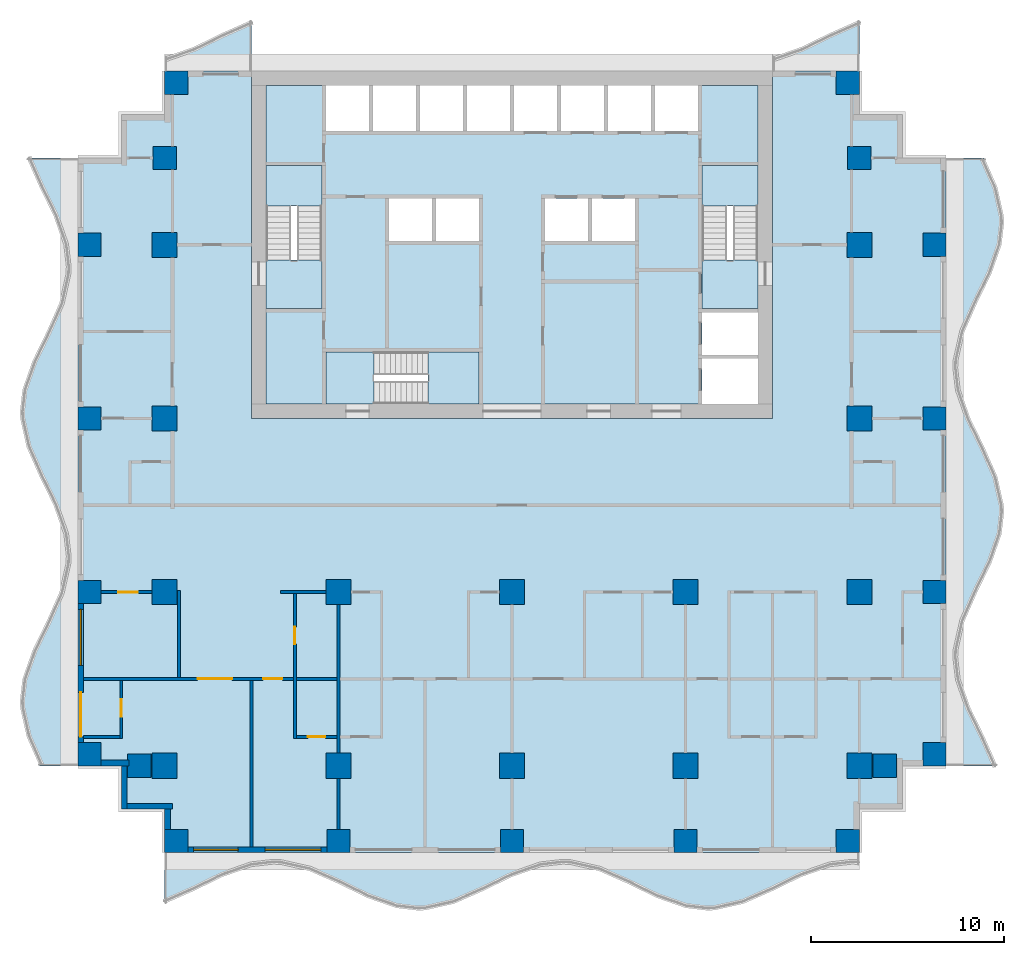
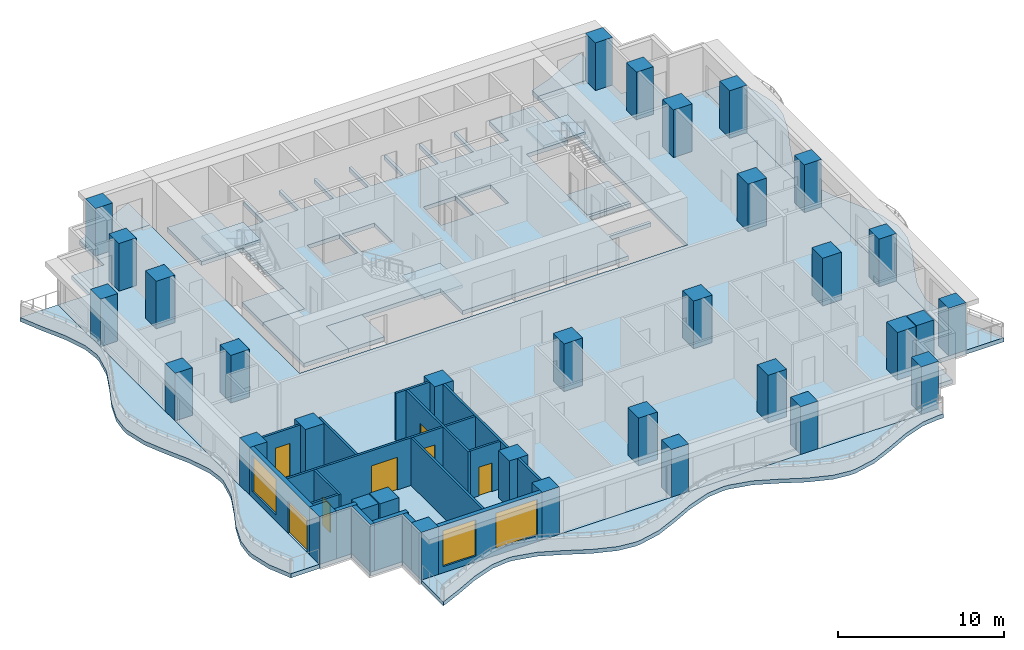
# One storey, part 1 of 10: 33 columns, 18 walls, 13 slabs, 7 doors, 3 windows, 10 openings, 3 elements without a shape of their own.
"""IFC4 building model written with IfcOpenShell, lengths in metres."""

from ifc_helpers import new_model, si_unit, direction, frame, frame_2d, origin, origin_2d, place, context, subcontext, project, spatial, polyline, rectangle, outline, extrude, material, layer, layer_set, material_profile, profile_set, type_object, element, fill, aggregate, save


model = new_model("IFC4")

# Units and contexts
model_context = context("Model", 3, precision=1e-05, world=origin(), true_north=direction((0.0, 1.0)))
body_context = subcontext(model_context, "Body", "Model", "MODEL_VIEW")
ifc_project = project(units=[si_unit("LENGTHUNIT", "METRE"), si_unit("AREAUNIT", "SQUARE_METRE"), si_unit("VOLUMEUNIT", "CUBIC_METRE"), si_unit("PLANEANGLEUNIT", "RADIAN"), si_unit("MASSUNIT", "GRAM", prefix="KILO")], contexts=[model_context])

# Site, building, storey
site_placement = place(None, origin())
site = spatial("IfcSite", under=ifc_project, at=site_placement, CompositionType="ELEMENT")
building_placement = place(site_placement, origin())
building = spatial("IfcBuilding", under=site, at=building_placement, Name="Orbiselva Terraces", CompositionType="ELEMENT")
storey_placement = place(building_placement, frame((0.0, 0.0, 125.0)))
storey = spatial("IfcBuildingStorey", under=building, at=storey_placement, Name="L31", CompositionType="ELEMENT", Elevation=125.0)

# Columns
ifc_material_1 = material(Name="Concrete C70/85", Category="concrete")
ifc_material_profile_1 = material_profile(ifc_material_1, rectangle(XDim=1.3, YDim=1.3, at=origin_2d()), Name="RC 1300x1300")
ifc_profile_set_1 = profile_set([ifc_material_profile_1], Name="Concrete C70/85")
column_type_1 = type_object("IfcColumnType", Name="COLUMN RC 1300x1300", PredefinedType="COLUMN", material=ifc_profile_set_1)
for number, where, z_axis, x_axis, name in (
    (1, (-18.0, -13.5, 0.0), (0.0, 0.0, 1.0), (1.0, 0.0, 0.0), "Column L31-01"),
    (2, (-18.0, -4.5, 0.0), (0.0, 0.0, 1.0), (1.0, 0.0, 0.0), "Column L31-03"),
    (3, (-18.0, 13.5, 0.0), (0.0, 0.0, 1.0), (1.0, 0.0, 0.0), "Column L31-04"),
    (4, (-18.0, 4.5, 0.0), (0.0, 0.0, 1.0), (1.0, 0.0, 0.0), "Column L31-06"),
    (5, (-9.0, -13.5, 0.0), (0.0, 0.0, 1.0), (1.0, 0.0, 0.0), "Column L31-13"),
    (6, (-9.0, -4.5, 0.0), (0.0, 0.0, 1.0), (1.0, 0.0, 0.0), "Column L31-15"),
    (7, (0.0, -13.5, 0.0), (0.0, 0.0, 1.0), (1.0, 0.0, 0.0), "Column L31-16"),
    (8, (0.0, -4.5, 0.0), (0.0, 0.0, 1.0), (1.0, 0.0, 0.0), "Column L31-18"),
    (9, (18.0, -13.5, 0.0), (0.0, 0.0, 1.0), (1.0, 0.0, 0.0), "Column L31-19"),
    (10, (18.0, -4.5, 0.0), (0.0, 0.0, 1.0), (1.0, 0.0, 0.0), "Column L31-21"),
    (11, (18.0, 13.5, 0.0), (0.0, 0.0, 1.0), (1.0, 0.0, 0.0), "Column L31-22"),
    (12, (18.0, 4.5, 0.0), (0.0, 0.0, 1.0), (1.0, 0.0, 0.0), "Column L31-24"),
    (13, (9.0, -13.5, 0.0), (0.0, 0.0, 1.0), (1.0, 0.0, 0.0), "Column L31-31"),
    (14, (9.0, -4.5, 0.0), (0.0, 0.0, 1.0), (1.0, 0.0, 0.0), "Column L31-33"),
):
    element("IfcColumn", number, at=place(storey_placement, frame(where, z_axis=z_axis, x_axis=x_axis)), inside=storey, type_object=column_type_1, Name=name, PredefinedType="COLUMN", context=body_context, shape_type="SweptSolid", body=[
        extrude(rectangle(XDim=1.3, YDim=1.3, at=origin_2d()), origin(), (0.0, 0.0, 1.0), 3.5),
    ])
ifc_material_2 = material(Name="Concrete C60/75", Category="concrete")
ifc_material_profile_2 = material_profile(ifc_material_2, rectangle(XDim=1.2, YDim=1.2, at=origin_2d()), Name="RC 1200x1200")
ifc_profile_set_2 = profile_set([ifc_material_profile_2], Name="Concrete C60/75")
column_type_2 = type_object("IfcColumnType", Name="PERIMETER COLUMN RC 1200x1200", PredefinedType="COLUMN", material=ifc_profile_set_2)
for number, where, z_axis, x_axis, name in (
    (15, (-17.4, -17.4, 0.0), (0.0, 0.0, 1.0), (1.0, 0.0, 0.0), "Column L31-02"),
    (16, (-17.4, 21.9, 0.0), (0.0, 0.0, 1.0), (1.0, 0.0, 0.0), "Column L31-05"),
    (17, (-21.9, -12.9, 0.0), (0.0, 0.0, 1.0), (1.0, 0.0, 0.0), "Column L31-07"),
    (18, (-19.32, -13.5, 0.0), (0.0, 0.0, 1.0), (1.0, 0.0, 0.0), "Column L31-08"),
    (19, (-21.9, -4.5, 0.0), (0.0, 0.0, 1.0), (1.0, 0.0, 0.0), "Column L31-09"),
    (20, (-21.9, 13.5, 0.0), (0.0, 0.0, 1.0), (1.0, 0.0, 0.0), "Column L31-10"),
    (21, (-18.0, 18.0, 0.0), (0.0, 0.0, 1.0), (1.0, 0.0, 0.0), "Column L31-11"),
    (22, (-21.9, 4.5, 0.0), (0.0, 0.0, 1.0), (1.0, 0.0, 0.0), "Column L31-12"),
    (23, (-9.0, -17.4, 0.0), (0.0, 0.0, 1.0), (1.0, 0.0, 0.0), "Column L31-14"),
    (24, (0.0, -17.4, 0.0), (0.0, 0.0, 1.0), (1.0, 0.0, 0.0), "Column L31-17"),
    (25, (17.4, -17.4, 0.0), (0.0, 0.0, 1.0), (1.0, 0.0, 0.0), "Column L31-20"),
    (26, (17.4, 21.9, 0.0), (0.0, 0.0, 1.0), (1.0, 0.0, 0.0), "Column L31-23"),
    (27, (21.9, -12.9, 0.0), (0.0, 0.0, 1.0), (1.0, 0.0, 0.0), "Column L31-25"),
    (28, (19.32, -13.5, 0.0), (0.0, 0.0, 1.0), (1.0, 0.0, 0.0), "Column L31-26"),
    (29, (21.9, -4.5, 0.0), (0.0, 0.0, 1.0), (1.0, 0.0, 0.0), "Column L31-27"),
    (30, (21.9, 13.5, 0.0), (0.0, 0.0, 1.0), (1.0, 0.0, 0.0), "Column L31-28"),
    (31, (18.0, 18.0, 0.0), (0.0, 0.0, 1.0), (1.0, 0.0, 0.0), "Column L31-29"),
    (32, (21.9, 4.5, 0.0), (0.0, 0.0, 1.0), (1.0, 0.0, 0.0), "Column L31-30"),
    (33, (9.0, -17.4, 0.0), (0.0, 0.0, 1.0), (1.0, 0.0, 0.0), "Column L31-32"),
):
    element("IfcColumn", number, at=place(storey_placement, frame(where, z_axis=z_axis, x_axis=x_axis)), inside=storey, type_object=column_type_2, Name=name, PredefinedType="COLUMN", context=body_context, shape_type="SweptSolid", body=[
        extrude(rectangle(XDim=1.2, YDim=1.2, at=origin_2d()), origin(), (0.0, 0.0, 1.0), 3.5),
    ])

# Slabs
ifc_material_3 = material(Name="Concrete C40/50", Category="concrete")
ifc_layer_1 = layer(ifc_material_3, 0.3)
ifc_layer_set_1 = layer_set([ifc_layer_1], Name="Concrete C40/50")
slab_type_1 = type_object("IfcSlabType", Name="CORE-SLAB-FLOOR-300", PredefinedType="FLOOR", material=ifc_layer_set_1)
slab_1_placement = place(storey_placement, frame((0.0, 0.0, -0.3)))
element("IfcSlab", 34, at=slab_1_placement, inside=storey, type_object=slab_type_1, Name="L31 S1 floor landing", PredefinedType="FLOOR", context=body_context, shape_type="SweptSolid", body=[
    extrude(outline(polyline([(-12.75, 12.7), (-9.85, 12.7), (-9.85, 10.2), (-12.75, 10.2), (-12.75, 12.7)])), origin(), (0.0, 0.0, 1.0), 0.3),
])
slab_2_placement = place(storey_placement, frame((0.0, 0.0, -0.3)))
element("IfcSlab", 35, at=slab_2_placement, inside=storey, type_object=slab_type_1, Name="L31 S2 floor landing", PredefinedType="FLOOR", context=body_context, shape_type="SweptSolid", body=[
    extrude(outline(polyline([(12.75, 12.7), (12.75, 10.2), (9.85, 10.2), (9.85, 12.7), (12.75, 12.7)])), origin(), (0.0, 0.0, 1.0), 0.3),
])
slab_3_placement = place(storey_placement, frame((0.0, 0.0, -0.3)))
element("IfcSlab", 36, at=slab_3_placement, inside=storey, type_object=slab_type_1, Name="L31 S3 floor landing", PredefinedType="FLOOR", context=body_context, shape_type="SweptSolid", body=[
    extrude(outline(polyline([(-7.15, 5.25), (-9.65, 5.25), (-9.65, 7.95), (-7.15, 7.95), (-7.15, 5.25)])), origin(), (0.0, 0.0, 1.0), 0.3),
])
slab_4_placement = place(storey_placement, frame((0.0, 0.0, -0.3)))
element("IfcSlab", 37, at=slab_4_placement, inside=storey, type_object=slab_type_1, Name="L31 core floor slab 1", PredefinedType="FLOOR", context=body_context, shape_type="SweptSolid", body=[
    extrude(outline(polyline([(-1.7, 5.25), (-1.7, 7.95), (-9.65, 7.95), (-9.65, 5.25), (-12.75, 5.25), (-12.75, 10.2), (-9.85, 10.2), (-9.85, 17.6), (-12.75, 17.6), (-12.75, 21.75), (-9.65, 21.75), (-9.65, 19.4), (-7.4125, 19.4), (-7.4125, 21.75), (-7.2125, 21.75), (-7.2125, 19.4), (-4.975, 19.4), (-4.975, 21.75), (-4.775, 21.75), (-4.775, 19.4), (-2.5375, 19.4), (-2.5375, 21.75), (-2.3375, 21.75), (-2.3375, 19.4), (-0.1, 19.4), (-0.1, 21.75), (0.1, 21.75), (0.1, 19.4), (2.3375, 19.4), (2.3375, 21.75), (2.5375, 21.75), (2.5375, 19.4), (4.775, 19.4), (4.775, 21.75), (4.975, 21.75), (4.975, 19.4), (7.2125, 19.4), (7.2125, 21.75), (7.4125, 21.75), (7.4125, 19.4), (9.65, 19.4), (9.65, 21.75), (12.75, 21.75), (12.75, 17.6), (9.85, 17.6), (9.85, 10.2), (12.75, 10.2), (12.75, 10.0), (9.85, 10.0), (9.85, 7.8), (12.75, 7.8), (12.75, 7.6), (9.85, 7.6), (9.85, 5.25), (-1.7, 5.25)]), holes=[polyline([(-4.1375, 13.7), (-4.1375, 15.9), (-6.375, 15.9), (-6.375, 13.7), (-4.1375, 13.7)]), polyline([(-1.7, 13.7), (-1.7, 15.9), (-3.9375, 15.9), (-3.9375, 13.7), (-1.7, 13.7)]), polyline([(3.9375, 13.7), (3.9375, 15.9), (1.7, 15.9), (1.7, 13.7), (3.9375, 13.7)]), polyline([(6.375, 13.7), (6.375, 15.9), (4.1375, 15.9), (4.1375, 13.7), (6.375, 13.7)])]), origin(), (0.0, 0.0, 1.0), 0.3),
])

# Stair, slab
stair_type_1 = type_object("IfcStairType", Name="CORE-STAIR-1300", PredefinedType="HALF_TURN_STAIR", material=ifc_material_3)
stair_1_placement = place(storey_placement, origin())
stair_1 = element("IfcStair", 38, at=stair_1_placement, inside=storey, type_object=stair_type_1, Name="L31 Exit Stair S1", PredefinedType="HALF_TURN_STAIR")
ifc_layer_2 = layer(ifc_material_3, 0.2)
ifc_layer_set_2 = layer_set([ifc_layer_2], Name="Concrete C40/50")
slab_type_2 = type_object("IfcSlabType", Name="CORE-STAIR-LANDING-200", PredefinedType="LANDING", material=ifc_layer_set_2)
slab_5_placement = place(storey_placement, frame((0.0, 0.0, 1.7)))
slab_5 = element("IfcSlab", 39, at=slab_5_placement, type_object=slab_type_2, Name="S1 landing 1", PredefinedType="LANDING", context=body_context, shape_type="SweptSolid", body=[
    extrude(outline(polyline([(-9.85, 15.5), (-9.85, 17.6), (-12.75, 17.6), (-12.75, 15.5), (-9.85, 15.5)])), origin(), (0.0, 0.0, 1.0), 0.2),
])
aggregate(stair_1, [slab_5])

stair_2_placement = place(storey_placement, origin())
stair_2 = element("IfcStair", 40, at=stair_2_placement, inside=storey, type_object=stair_type_1, Name="L31 Exit Stair S2", PredefinedType="HALF_TURN_STAIR")
slab_6_placement = place(storey_placement, frame((0.0, 0.0, 1.7)))
slab_6 = element("IfcSlab", 41, at=slab_6_placement, type_object=slab_type_2, Name="S2 landing 1", PredefinedType="LANDING", context=body_context, shape_type="SweptSolid", body=[
    extrude(outline(polyline([(12.75, 15.5), (12.75, 17.6), (9.85, 17.6), (9.85, 15.5), (12.75, 15.5)])), origin(), (0.0, 0.0, 1.0), 0.2),
])
aggregate(stair_2, [slab_6])

stair_type_2 = type_object("IfcStairType", Name="CORE-STAIR-1200", PredefinedType="HALF_TURN_STAIR", material=ifc_material_3)
stair_3_placement = place(storey_placement, origin())
stair_3 = element("IfcStair", 42, at=stair_3_placement, inside=storey, type_object=stair_type_2, Name="L31 Exit Stair S3", PredefinedType="HALF_TURN_STAIR")
slab_7_placement = place(storey_placement, frame((0.0, 0.0, 1.7)))
slab_7 = element("IfcSlab", 43, at=slab_7_placement, type_object=slab_type_2, Name="S3 landing 1", PredefinedType="LANDING", context=body_context, shape_type="SweptSolid", body=[
    extrude(outline(polyline([(-4.35, 5.25), (-1.7, 5.25), (-1.7, 7.95), (-4.35, 7.95), (-4.35, 5.25)])), origin(), (0.0, 0.0, 1.0), 0.2),
])
aggregate(stair_3, [slab_7])

# Slabs
ifc_material_4 = material(Name="Concrete C50/60", Category="concrete")
ifc_layer_3 = layer(ifc_material_4, 0.3)
ifc_layer_set_3 = layer_set([ifc_layer_3], Name="Concrete C50/60")
slab_type_3 = type_object("IfcSlabType", Name="ENV-BALCONY-SLAB-300", PredefinedType="FLOOR", material=ifc_layer_set_3)
slab_8_placement = place(storey_placement, frame((0.0, 0.0, -0.3)))
element("IfcSlab", 44, at=slab_8_placement, inside=storey, type_object=slab_type_3, Name="Balcony slab L31 S", PredefinedType="FLOOR", context=body_context, shape_type="SweptSolid", body=[
    extrude(outline(polyline([(-18.0, -20.648528), (-16.5, -19.987721), (-15.0, -19.255211), (-13.5, -18.730792), (-12.375, -18.6), (-12.0, -18.614774), (-10.5, -18.951472), (-9.0, -19.612279), (-7.5, -20.344789), (-6.0, -20.869208), (-4.875, -21.0), (-4.5, -20.985226), (-3.0, -20.648528), (-1.5, -19.987721), (0.0, -19.255211), (1.5, -18.730792), (2.625, -18.6), (3.0, -18.614774), (4.5, -18.951472), (6.0, -19.612279), (7.5, -20.344789), (9.0, -20.869208), (10.125, -21.0), (10.5, -20.985226), (12.0, -20.648528), (13.5, -19.987721), (15.0, -19.255211), (16.5, -18.730792), (17.625, -18.6), (18.0, -18.614774), (18.0, -18.0), (-18.0, -18.0), (-18.0, -20.648528)])), origin(), (0.0, 0.0, 1.0), 0.3),
])
slab_9_placement = place(storey_placement, frame((0.0, 0.0, -0.3)))
element("IfcSlab", 45, at=slab_9_placement, inside=storey, type_object=slab_type_3, Name="Balcony slab L31 E", PredefinedType="FLOOR", context=body_context, shape_type="SweptSolid", body=[
    extrude(outline(polyline([(25.148528, -13.5), (24.487721, -12.0), (23.755211, -10.5), (23.230792, -9.0), (23.1, -7.875), (23.114774, -7.5), (23.451472, -6.0), (24.112279, -4.5), (24.844789, -3.0), (25.369208, -1.5), (25.5, -0.375), (25.485226, 0.0), (25.148528, 1.5), (24.487721, 3.0), (23.755211, 4.5), (23.230792, 6.0), (23.1, 7.125), (23.114774, 7.5), (23.451472, 9.0), (24.112279, 10.5), (24.844789, 12.0), (25.369208, 13.5), (25.5, 14.625), (25.485226, 15.0), (25.148528, 16.5), (24.487721, 18.0), (22.5, 18.0), (22.5, -13.5), (25.148528, -13.5)])), origin(), (0.0, 0.0, 1.0), 0.3),
])
slab_10_placement = place(storey_placement, frame((0.0, 0.0, -0.3)))
element("IfcSlab", 46, at=slab_10_placement, inside=storey, type_object=slab_type_3, Name="Balcony slab L31 NE", PredefinedType="FLOOR", context=body_context, shape_type="SweptSolid", body=[
    extrude(outline(polyline([(18.0, 25.148528), (16.5, 24.487721), (15.0, 23.755211), (13.5, 23.230792), (13.5, 22.5), (18.0, 22.5), (18.0, 25.148528)])), origin(), (0.0, 0.0, 1.0), 0.3),
])
slab_11_placement = place(storey_placement, frame((0.0, 0.0, -0.3)))
element("IfcSlab", 47, at=slab_11_placement, inside=storey, type_object=slab_type_3, Name="Balcony slab L31 NW", PredefinedType="FLOOR", context=body_context, shape_type="SweptSolid", body=[
    extrude(outline(polyline([(-13.5, 25.148528), (-15.0, 24.487721), (-16.5, 23.755211), (-18.0, 23.230792), (-18.0, 22.5), (-13.5, 22.5), (-13.5, 25.148528)])), origin(), (0.0, 0.0, 1.0), 0.3),
])
slab_12_placement = place(storey_placement, frame((0.0, 0.0, -0.3)))
element("IfcSlab", 48, at=slab_12_placement, inside=storey, type_object=slab_type_3, Name="Balcony slab L31 W", PredefinedType="FLOOR", context=body_context, shape_type="SweptSolid", body=[
    extrude(outline(polyline([(-25.148528, 18.0), (-24.487721, 16.5), (-23.755211, 15.0), (-23.230792, 13.5), (-23.1, 12.375), (-23.114774, 12.0), (-23.451472, 10.5), (-24.112279, 9.0), (-24.844789, 7.5), (-25.369208, 6.0), (-25.5, 4.875), (-25.485226, 4.5), (-25.148528, 3.0), (-24.487721, 1.5), (-23.755211, 0.0), (-23.230792, -1.5), (-23.1, -2.625), (-23.114774, -3.0), (-23.451472, -4.5), (-24.112279, -6.0), (-24.844789, -7.5), (-25.369208, -9.0), (-25.5, -10.125), (-25.485226, -10.5), (-25.148528, -12.0), (-24.487721, -13.5), (-22.5, -13.5), (-22.5, 18.0), (-25.148528, 18.0)])), origin(), (0.0, 0.0, 1.0), 0.3),
])
ifc_layer_4 = layer(ifc_material_4, 0.3)
ifc_layer_set_4 = layer_set([ifc_layer_4], Name="Concrete C50/60")
slab_type_4 = type_object("IfcSlabType", Name="FLOOR SLAB 300", PredefinedType="FLOOR", material=ifc_layer_set_4)
slab_13_placement = place(storey_placement, frame((0.0, 0.0, -0.3)))
element("IfcSlab", 49, at=slab_13_placement, inside=storey, type_object=slab_type_4, Name="Floor slab L31", PredefinedType="FLOOR", context=body_context, shape_type="SweptSolid", body=[
    extrude(outline(polyline([(18.0, 22.5), (18.0, 20.25), (20.25, 20.25), (20.25, 18.0), (22.5, 18.0), (22.5, -13.5), (20.25, -13.5), (20.25, -15.75), (18.0, -15.75), (18.0, -18.0), (-18.0, -18.0), (-18.0, -15.75), (-20.25, -15.75), (-20.25, -13.5), (-22.5, -13.5), (-22.5, 18.0), (-20.25, 18.0), (-20.25, 20.25), (-18.0, 20.25), (-18.0, 22.5), (-13.5, 22.5), (-13.5, 4.5), (13.5, 4.5), (13.5, 22.5), (18.0, 22.5)])), origin(), (0.0, 0.0, 1.0), 0.3),
])

# Wall, openings, windows
ifc_material_5 = material(Name="Terracotta cladding on masonry backing", Category="masonry")
ifc_layer_5 = layer(ifc_material_5, 0.3)
ifc_layer_set_5 = layer_set([ifc_layer_5], Name="Terracotta cladding on masonry backing")
wall_type_1 = type_object("IfcWallType", Name="ENV-WALL-TERRACOTTA-300", PredefinedType="SOLIDWALL", material=ifc_layer_set_5)
wall_1_placement = place(storey_placement, frame((-9.6, -17.85, 0.0), z_axis=(0.0, 0.0, 1.0), x_axis=(-1.0, 0.0, 0.0)))
wall_1 = element("IfcWall", 50, at=wall_1_placement, inside=storey, type_object=wall_type_1, Name="Facade wall L31 S", PredefinedType="SOLIDWALL", context=body_context, shape_type="SweptSolid", body=[
    extrude(rectangle(XDim=7.2, YDim=0.3, at=frame_2d((3.6, 0.0))), origin(), (0.0, 0.0, 1.0), 3.5),
])
opening_1_placement = place(wall_1_placement, frame((4.6, 0.0, 0.45)))
opening_1 = element("IfcOpeningElement", 51, at=opening_1_placement, cuts=wall_1, Name="Opening WN7", PredefinedType="OPENING", context=body_context, shape_type="SweptSolid", body=[
    extrude(rectangle(XDim=2.3, YDim=2.65, at=frame_2d((1.15, 1.325))), frame((0.0, 0.16, 0.0), z_axis=(0.0, -1.0, 0.0), x_axis=(1.0, 0.0, 0.0)), (0.0, 0.0, 1.0), 0.32),
])
opening_2_placement = place(wall_1_placement, frame((0.3, 0.0, 0.45)))
opening_2 = element("IfcOpeningElement", 52, at=opening_2_placement, cuts=wall_1, Name="Opening WN8", PredefinedType="OPENING", context=body_context, shape_type="SweptSolid", body=[
    extrude(rectangle(XDim=2.9, YDim=2.65, at=frame_2d((1.45, 1.325))), frame((0.0, 0.16, 0.0), z_axis=(0.0, -1.0, 0.0), x_axis=(1.0, 0.0, 0.0)), (0.0, 0.0, 1.0), 0.32),
])
ifc_material_6 = material(Name="Clear low-e glazing in aluminium frame", Category="aluminium")
window_type_1 = type_object("IfcWindowType", Name="WINDOW 2300 X 2650 S450", PartitioningType="TRIPLE_PANEL_VERTICAL", PredefinedType="WINDOW", material=ifc_material_6)
window_1_placement = place(opening_1_placement, origin())
window_1 = element("IfcWindow", 53, at=window_1_placement, inside=storey, type_object=window_type_1, Name="Window L31 S", OverallHeight=2.65, OverallWidth=2.3, PartitioningType="SINGLE_PANEL", PredefinedType="WINDOW", context=body_context, shape_type="SweptSolid", body=[
    extrude(rectangle(XDim=2.3, YDim=2.65, at=frame_2d((1.15, 1.325))), frame((0.0, 0.03, 0.0), z_axis=(0.0, -1.0, 0.0), x_axis=(1.0, 0.0, 0.0)), (0.0, 0.0, 1.0), 0.06),
])
fill(opening_1, window_1)
window_type_2 = type_object("IfcWindowType", Name="WINDOW 2900 X 2650 S450", PartitioningType="TRIPLE_PANEL_VERTICAL", PredefinedType="WINDOW", material=ifc_material_6)
window_2_placement = place(opening_2_placement, origin())
window_2 = element("IfcWindow", 54, at=window_2_placement, inside=storey, type_object=window_type_2, Name="Window L31 S", OverallHeight=2.65, OverallWidth=2.9, PartitioningType="SINGLE_PANEL", PredefinedType="WINDOW", context=body_context, shape_type="SweptSolid", body=[
    extrude(rectangle(XDim=2.9, YDim=2.65, at=frame_2d((1.45, 1.325))), frame((0.0, 0.03, 0.0), z_axis=(0.0, -1.0, 0.0), x_axis=(1.0, 0.0, 0.0)), (0.0, 0.0, 1.0), 0.06),
])
fill(opening_2, window_2)

# Wall, openings, door, window
wall_2_placement = place(storey_placement, frame((-22.35, -12.3, 0.0), z_axis=(0.0, 0.0, 1.0), x_axis=(0.0, 1.0, 0.0)))
wall_2 = element("IfcWall", 55, at=wall_2_placement, inside=storey, type_object=wall_type_1, Name="Facade wall L31 W", PredefinedType="SOLIDWALL", context=body_context, shape_type="SweptSolid", body=[
    extrude(rectangle(XDim=7.2, YDim=0.3, at=frame_2d((3.6, 0.0))), origin(), (0.0, 0.0, 1.0), 3.5),
])
opening_3_placement = place(wall_2_placement, frame((4.0, 0.0, 0.45)))
opening_3 = element("IfcOpeningElement", 56, at=opening_3_placement, cuts=wall_2, Name="Opening WN8", PredefinedType="OPENING", context=body_context, shape_type="SweptSolid", body=[
    extrude(rectangle(XDim=2.9, YDim=2.65, at=frame_2d((1.45, 1.325))), frame((0.0, 0.16, 0.0), z_axis=(0.0, -1.0, 0.0), x_axis=(1.0, 0.0, 0.0)), (0.0, 0.0, 1.0), 0.32),
])
opening_4_placement = place(wall_2_placement, frame((0.3, 0.0, 0.0)))
opening_4 = element("IfcOpeningElement", 57, at=opening_4_placement, cuts=wall_2, Name="Opening Z3-A-E11", PredefinedType="OPENING", context=body_context, shape_type="SweptSolid", body=[
    extrude(rectangle(XDim=2.3, YDim=2.4, at=frame_2d((1.15, 1.2))), frame((0.0, 0.16, 0.0), z_axis=(0.0, -1.0, 0.0), x_axis=(1.0, 0.0, 0.0)), (0.0, 0.0, 1.0), 0.32),
])
door_type_1 = type_object("IfcDoorType", Name="BALCONY DOOR 2300 X 2400", OperationType="DOUBLE_DOOR_SLIDING", PredefinedType="DOOR", material=ifc_material_6)
door_1_placement = place(opening_4_placement, origin())
door_1 = element("IfcDoor", 58, at=door_1_placement, inside=storey, type_object=door_type_1, Name="Z3-A-E11", OperationType="SINGLE_SWING_LEFT", OverallHeight=2.4, OverallWidth=2.3, PredefinedType="DOOR", context=body_context, shape_type="SweptSolid", body=[
    extrude(rectangle(XDim=2.3, YDim=2.4, at=frame_2d((1.15, 1.2))), frame((0.0, 0.025, 0.0), z_axis=(0.0, -1.0, 0.0), x_axis=(1.0, 0.0, 0.0)), (0.0, 0.0, 1.0), 0.05),
])
fill(opening_4, door_1)
window_3_placement = place(opening_3_placement, origin())
window_3 = element("IfcWindow", 59, at=window_3_placement, inside=storey, type_object=window_type_2, Name="Window L31 W", OverallHeight=2.65, OverallWidth=2.9, PartitioningType="SINGLE_PANEL", PredefinedType="WINDOW", context=body_context, shape_type="SweptSolid", body=[
    extrude(rectangle(XDim=2.9, YDim=2.65, at=frame_2d((1.45, 1.325))), frame((0.0, 0.03, 0.0), z_axis=(0.0, -1.0, 0.0), x_axis=(1.0, 0.0, 0.0)), (0.0, 0.0, 1.0), 0.06),
])
fill(opening_3, window_3)

# Walls
wall_3_placement = place(storey_placement, frame((-19.85, -13.35, 0.0), z_axis=(0.0, 0.0, 1.0), x_axis=(-1.0, 0.0, 0.0)))
element("IfcWall", 60, at=wall_3_placement, inside=storey, type_object=wall_type_1, Name="Facade wall L31 STEP", PredefinedType="SOLIDWALL", context=body_context, shape_type="SweptSolid", body=[
    extrude(rectangle(XDim=1.45, YDim=0.3, at=frame_2d((0.725, 0.0))), origin(), (0.0, 0.0, 1.0), 3.5),
])
wall_4_placement = place(storey_placement, frame((-20.1, -15.75, 0.0), z_axis=(0.0, 0.0, 1.0), x_axis=(0.0, 1.0, 0.0)))
element("IfcWall", 61, at=wall_4_placement, inside=storey, type_object=wall_type_1, Name="Facade wall L31 STEP", PredefinedType="SOLIDWALL", context=body_context, shape_type="SweptSolid", body=[
    extrude(rectangle(XDim=2.25, YDim=0.3, at=frame_2d((1.125, 0.0))), origin(), (0.0, 0.0, 1.0), 3.5),
])
wall_5_placement = place(storey_placement, frame((-17.6, -15.6, 0.0), z_axis=(0.0, 0.0, 1.0), x_axis=(-1.0, 0.0, 0.0)))
element("IfcWall", 62, at=wall_5_placement, inside=storey, type_object=wall_type_1, Name="Facade wall L31 STEP", PredefinedType="SOLIDWALL", context=body_context, shape_type="SweptSolid", body=[
    extrude(rectangle(XDim=2.35, YDim=0.3, at=frame_2d((1.175, 0.0))), origin(), (0.0, 0.0, 1.0), 3.5),
])
wall_6_placement = place(storey_placement, frame((-17.85, -16.8, 0.0), z_axis=(0.0, 0.0, 1.0), x_axis=(0.0, 1.0, 0.0)))
element("IfcWall", 63, at=wall_6_placement, inside=storey, type_object=wall_type_1, Name="Facade wall L31 STEP", PredefinedType="SOLIDWALL", context=body_context, shape_type="SweptSolid", body=[
    extrude(rectangle(XDim=1.05, YDim=0.3, at=frame_2d((0.525, 0.0))), origin(), (0.0, 0.0, 1.0), 3.5),
])
ifc_material_7 = material(Name="Plasterboard on steel stud partition", Category="steel")
ifc_layer_6 = layer(ifc_material_7, 0.15)
ifc_layer_set_6 = layer_set([ifc_layer_6], Name="Plasterboard on steel stud partition")
wall_type_2 = type_object("IfcWallType", Name="UNIT-PARTITION-150", PredefinedType="PARTITIONING", material=ifc_layer_set_6)
wall_7_placement = place(storey_placement, frame((-22.2, -12.0, 0.0), z_axis=(0.0, 0.0, 1.0), x_axis=(1.0, 0.0, 0.0)))
element("IfcWall", 64, at=wall_7_placement, inside=storey, type_object=wall_type_2, Name="PARTITION L31-001", PredefinedType="PARTITIONING", context=body_context, shape_type="SweptSolid", body=[
    extrude(rectangle(XDim=1.875, YDim=0.15, at=frame_2d((0.9375, 0.0))), origin(), (0.0, 0.0, 1.0), 3.5),
])

# Wall, opening, door
wall_8_placement = place(storey_placement, frame((-11.175, -12.0, 0.0), z_axis=(0.0, 0.0, 1.0), x_axis=(1.0, 0.0, 0.0)))
wall_8 = element("IfcWall", 65, at=wall_8_placement, inside=storey, type_object=wall_type_2, Name="PARTITION L31-002", PredefinedType="PARTITIONING", context=body_context, shape_type="SweptSolid", body=[
    extrude(rectangle(XDim=2.1, YDim=0.15, at=frame_2d((1.05, 0.0))), origin(), (0.0, 0.0, 1.0), 3.5),
])
opening_5_placement = place(wall_8_placement, frame((0.6, 0.0, 0.0)))
opening_5 = element("IfcOpeningElement", 66, at=opening_5_placement, cuts=wall_8, Name="Opening Z3-A-26", PredefinedType="OPENING", context=body_context, shape_type="SweptSolid", body=[
    extrude(rectangle(XDim=0.9, YDim=2.1, at=frame_2d((0.45, 1.05))), frame((0.0, 0.085, 0.0), z_axis=(0.0, -1.0, 0.0), x_axis=(1.0, 0.0, 0.0)), (0.0, 0.0, 1.0), 0.17),
])
ifc_material_8 = material(Name="Painted timber door leaf", Category="wood")
door_type_2 = type_object("IfcDoorType", Name="BATH DOOR 900", OperationType="NOTDEFINED", PredefinedType="DOOR", material=ifc_material_8)
door_2_placement = place(opening_5_placement, origin())
door_2 = element("IfcDoor", 67, at=door_2_placement, inside=storey, type_object=door_type_2, Name="Z3-A-26", OperationType="SINGLE_SWING_LEFT", OverallHeight=2.1, OverallWidth=0.9, PredefinedType="DOOR", context=body_context, shape_type="SweptSolid", body=[
    extrude(rectangle(XDim=0.9, YDim=2.1, at=frame_2d((0.45, 1.05))), frame((0.0, 0.025, 0.0), z_axis=(0.0, -1.0, 0.0), x_axis=(1.0, 0.0, 0.0)), (0.0, 0.0, 1.0), 0.05),
])
fill(opening_5, door_2)

# Wall, openings, doors
wall_9_placement = place(storey_placement, frame((-11.325, -9.0, 0.0), z_axis=(0.0, 0.0, 1.0), x_axis=(-1.0, 0.0, 0.0)))
wall_9 = element("IfcWall", 68, at=wall_9_placement, inside=storey, type_object=wall_type_2, Name="PARTITION L31-006", PredefinedType="PARTITIONING", context=body_context, shape_type="SweptSolid", body=[
    extrude(rectangle(XDim=10.875, YDim=0.15, at=frame_2d((5.4375, 0.0))), origin(), (0.0, 0.0, 1.0), 3.5),
])
opening_6_placement = place(wall_9_placement, frame((3.175, 0.0, 0.0)))
opening_6 = element("IfcOpeningElement", 69, at=opening_6_placement, cuts=wall_9, Name="Opening Z3-A-23", PredefinedType="OPENING", context=body_context, shape_type="SweptSolid", body=[
    extrude(rectangle(XDim=1.8, YDim=2.4, at=frame_2d((0.9, 1.2))), frame((0.0, 0.085, 0.0), z_axis=(0.0, -1.0, 0.0), x_axis=(1.0, 0.0, 0.0)), (0.0, 0.0, 1.0), 0.17),
])
opening_7_placement = place(wall_9_placement, frame((0.575, 0.0, 0.0)))
opening_7 = element("IfcOpeningElement", 70, at=opening_7_placement, cuts=wall_9, Name="Opening Z3-A-25", PredefinedType="OPENING", context=body_context, shape_type="SweptSolid", body=[
    extrude(rectangle(XDim=1.0, YDim=2.4, at=frame_2d((0.5, 1.2))), frame((0.0, 0.085, 0.0), z_axis=(0.0, -1.0, 0.0), x_axis=(1.0, 0.0, 0.0)), (0.0, 0.0, 1.0), 0.17),
])
door_type_3 = type_object("IfcDoorType", Name="DOUBLE DOOR 1800", OperationType="NOTDEFINED", PredefinedType="DOOR", material=ifc_material_8)
door_3_placement = place(opening_6_placement, origin())
door_3 = element("IfcDoor", 71, at=door_3_placement, inside=storey, type_object=door_type_3, Name="Z3-A-23", OperationType="DOUBLE_DOOR_SINGLE_SWING", OverallHeight=2.4, OverallWidth=1.8, PredefinedType="DOOR", context=body_context, shape_type="SweptSolid", body=[
    extrude(rectangle(XDim=1.8, YDim=2.4, at=frame_2d((0.9, 1.2))), frame((0.0, 0.025, 0.0), z_axis=(0.0, -1.0, 0.0), x_axis=(1.0, 0.0, 0.0)), (0.0, 0.0, 1.0), 0.05),
])
fill(opening_6, door_3)
door_type_4 = type_object("IfcDoorType", Name="ROOM DOOR 1000", OperationType="NOTDEFINED", PredefinedType="DOOR", material=ifc_material_8)
door_4_placement = place(opening_7_placement, origin())
door_4 = element("IfcDoor", 72, at=door_4_placement, inside=storey, type_object=door_type_4, Name="Z3-A-25", OperationType="SINGLE_SWING_LEFT", OverallHeight=2.4, OverallWidth=1.0, PredefinedType="DOOR", context=body_context, shape_type="SweptSolid", body=[
    extrude(rectangle(XDim=1.0, YDim=2.4, at=frame_2d((0.5, 1.2))), frame((0.0, 0.025, 0.0), z_axis=(0.0, -1.0, 0.0), x_axis=(1.0, 0.0, 0.0)), (0.0, 0.0, 1.0), 0.05),
])
fill(opening_7, door_4)

# Wall
wall_10_placement = place(storey_placement, frame((-11.175, -9.0, 0.0), z_axis=(0.0, 0.0, 1.0), x_axis=(1.0, 0.0, 0.0)))
element("IfcWall", 73, at=wall_10_placement, inside=storey, type_object=wall_type_2, Name="PARTITION L31-007", PredefinedType="PARTITIONING", context=body_context, shape_type="SweptSolid", body=[
    extrude(rectangle(XDim=2.1, YDim=0.15, at=frame_2d((1.05, 0.0))), origin(), (0.0, 0.0, 1.0), 3.5),
])

# Wall, opening, door
wall_11_placement = place(storey_placement, frame((-18.65, -4.5, 0.0), z_axis=(0.0, 0.0, 1.0), x_axis=(-1.0, 0.0, 0.0)))
wall_11 = element("IfcWall", 74, at=wall_11_placement, inside=storey, type_object=wall_type_2, Name="PARTITION L31-015", PredefinedType="PARTITIONING", context=body_context, shape_type="SweptSolid", body=[
    extrude(rectangle(XDim=2.65, YDim=0.15, at=frame_2d((1.325, 0.0))), origin(), (0.0, 0.0, 1.0), 3.5),
])
opening_8_placement = place(wall_11_placement, frame((0.75, 0.0, 0.0)))
opening_8 = element("IfcOpeningElement", 75, at=opening_8_placement, cuts=wall_11, Name="Opening Z3-A-14", PredefinedType="OPENING", context=body_context, shape_type="SweptSolid", body=[
    extrude(rectangle(XDim=1.0, YDim=2.4, at=frame_2d((0.5, 1.2))), frame((0.0, 0.085, 0.0), z_axis=(0.0, -1.0, 0.0), x_axis=(1.0, 0.0, 0.0)), (0.0, 0.0, 1.0), 0.17),
])
door_5_placement = place(opening_8_placement, origin())
door_5 = element("IfcDoor", 76, at=door_5_placement, inside=storey, type_object=door_type_4, Name="Z3-A-14", OperationType="SINGLE_SWING_LEFT", OverallHeight=2.4, OverallWidth=1.0, PredefinedType="DOOR", context=body_context, shape_type="SweptSolid", body=[
    extrude(rectangle(XDim=1.0, YDim=2.4, at=frame_2d((0.5, 1.2))), frame((0.0, 0.025, 0.0), z_axis=(0.0, -1.0, 0.0), x_axis=(1.0, 0.0, 0.0)), (0.0, 0.0, 1.0), 0.05),
])
fill(opening_8, door_5)

# Wall
wall_12_placement = place(storey_placement, frame((-12.0, -4.5, 0.0), z_axis=(0.0, 0.0, 1.0), x_axis=(1.0, 0.0, 0.0)))
element("IfcWall", 77, at=wall_12_placement, inside=storey, type_object=wall_type_2, Name="PARTITION L31-016", PredefinedType="PARTITIONING", context=body_context, shape_type="SweptSolid", body=[
    extrude(rectangle(XDim=2.35, YDim=0.15, at=frame_2d((1.175, 0.0))), origin(), (0.0, 0.0, 1.0), 3.5),
])

# Wall, opening, door
wall_13_placement = place(storey_placement, frame((-20.25, -12.075, 0.0), z_axis=(0.0, 0.0, 1.0), x_axis=(0.0, 1.0, 0.0)))
wall_13 = element("IfcWall", 78, at=wall_13_placement, inside=storey, type_object=wall_type_2, Name="PARTITION L31-035", PredefinedType="PARTITIONING", context=body_context, shape_type="SweptSolid", body=[
    extrude(rectangle(XDim=3.0, YDim=0.15, at=frame_2d((1.5, 0.0))), origin(), (0.0, 0.0, 1.0), 3.5),
])
opening_9_placement = place(wall_13_placement, frame((1.125, 0.0, 0.0)))
opening_9 = element("IfcOpeningElement", 79, at=opening_9_placement, cuts=wall_13, Name="Opening Z3-A-24", PredefinedType="OPENING", context=body_context, shape_type="SweptSolid", body=[
    extrude(rectangle(XDim=0.9, YDim=2.1, at=frame_2d((0.45, 1.05))), frame((0.0, 0.085, 0.0), z_axis=(0.0, -1.0, 0.0), x_axis=(1.0, 0.0, 0.0)), (0.0, 0.0, 1.0), 0.17),
])
door_6_placement = place(opening_9_placement, origin())
door_6 = element("IfcDoor", 80, at=door_6_placement, inside=storey, type_object=door_type_2, Name="Z3-A-24", OperationType="SINGLE_SWING_RIGHT", OverallHeight=2.1, OverallWidth=0.9, PredefinedType="DOOR", context=body_context, shape_type="SweptSolid", body=[
    extrude(rectangle(XDim=0.9, YDim=2.1, at=frame_2d((0.45, 1.05))), frame((0.0, 0.025, 0.0), z_axis=(0.0, -1.0, 0.0), x_axis=(1.0, 0.0, 0.0)), (0.0, 0.0, 1.0), 0.05),
])
fill(opening_9, door_6)

# Walls
wall_14_placement = place(storey_placement, frame((-17.25, -8.925, 0.0), z_axis=(0.0, 0.0, 1.0), x_axis=(0.0, 1.0, 0.0)))
element("IfcWall", 81, at=wall_14_placement, inside=storey, type_object=wall_type_2, Name="PARTITION L31-041", PredefinedType="PARTITIONING", context=body_context, shape_type="SweptSolid", body=[
    extrude(rectangle(XDim=4.5, YDim=0.15, at=frame_2d((2.25, 0.0))), origin(), (0.0, 0.0, 1.0), 3.5),
])
wall_15_placement = place(storey_placement, frame((-13.5, -17.7, 0.0), z_axis=(0.0, 0.0, 1.0), x_axis=(0.0, 1.0, 0.0)))
element("IfcWall", 82, at=wall_15_placement, inside=storey, type_object=wall_type_2, Name="PARTITION L31-042", PredefinedType="PARTITIONING", context=body_context, shape_type="SweptSolid", body=[
    extrude(rectangle(XDim=8.625, YDim=0.15, at=frame_2d((4.3125, 0.0))), origin(), (0.0, 0.0, 1.0), 3.5),
])

# Wall, opening, door
wall_16_placement = place(storey_placement, frame((-11.25, -4.575, 0.0), z_axis=(0.0, 0.0, 1.0), x_axis=(0.0, -1.0, 0.0)))
wall_16 = element("IfcWall", 83, at=wall_16_placement, inside=storey, type_object=wall_type_2, Name="PARTITION L31-043", PredefinedType="PARTITIONING", context=body_context, shape_type="SweptSolid", body=[
    extrude(rectangle(XDim=7.5, YDim=0.15, at=frame_2d((3.75, 0.0))), origin(), (0.0, 0.0, 1.0), 3.5),
])
opening_10_placement = place(wall_16_placement, frame((1.725, 0.0, 0.0)))
opening_10 = element("IfcOpeningElement", 84, at=opening_10_placement, cuts=wall_16, Name="Opening Z3-A-15", PredefinedType="OPENING", context=body_context, shape_type="SweptSolid", body=[
    extrude(rectangle(XDim=0.9, YDim=2.1, at=frame_2d((0.45, 1.05))), frame((0.0, 0.085, 0.0), z_axis=(0.0, -1.0, 0.0), x_axis=(1.0, 0.0, 0.0)), (0.0, 0.0, 1.0), 0.17),
])
door_7_placement = place(opening_10_placement, origin())
door_7 = element("IfcDoor", 85, at=door_7_placement, inside=storey, type_object=door_type_2, Name="Z3-A-15", OperationType="SINGLE_SWING_LEFT", OverallHeight=2.1, OverallWidth=0.9, PredefinedType="DOOR", context=body_context, shape_type="SweptSolid", body=[
    extrude(rectangle(XDim=0.9, YDim=2.1, at=frame_2d((0.45, 1.05))), frame((0.0, 0.025, 0.0), z_axis=(0.0, -1.0, 0.0), x_axis=(1.0, 0.0, 0.0)), (0.0, 0.0, 1.0), 0.05),
])
fill(opening_10, door_7)

# Walls
wall_17_placement = place(storey_placement, frame((-9.0, -16.8, 0.0), z_axis=(0.0, 0.0, 1.0), x_axis=(0.0, 1.0, 0.0)))
element("IfcWall", 86, at=wall_17_placement, inside=storey, type_object=wall_type_2, Name="PARTITION L31-044", PredefinedType="PARTITIONING", context=body_context, shape_type="SweptSolid", body=[
    extrude(rectangle(XDim=2.65, YDim=0.15, at=frame_2d((1.325, 0.0))), origin(), (0.0, 0.0, 1.0), 3.5),
])
wall_18_placement = place(storey_placement, frame((-9.0, -12.85, 0.0), z_axis=(0.0, 0.0, 1.0), x_axis=(0.0, 1.0, 0.0)))
element("IfcWall", 87, at=wall_18_placement, inside=storey, type_object=wall_type_2, Name="PARTITION L31-045", PredefinedType="PARTITIONING", context=body_context, shape_type="SweptSolid", body=[
    extrude(rectangle(XDim=7.7, YDim=0.15, at=frame_2d((3.85, 0.0))), origin(), (0.0, 0.0, 1.0), 3.5),
])

save(model, "model.ifc")
